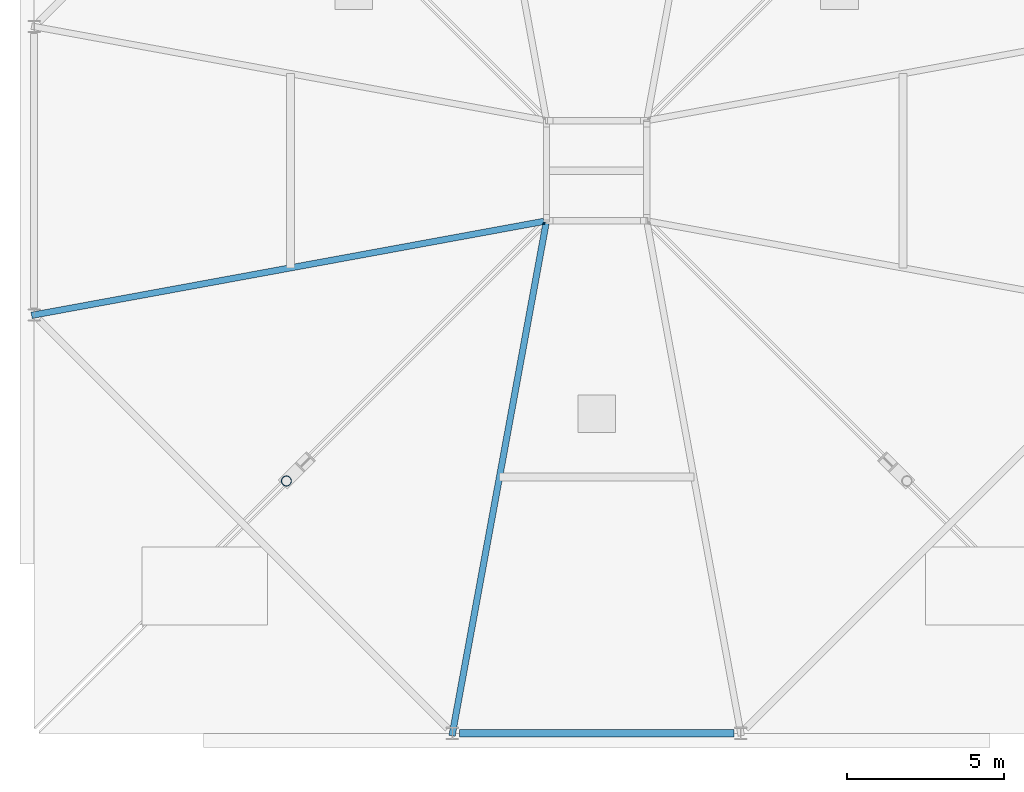
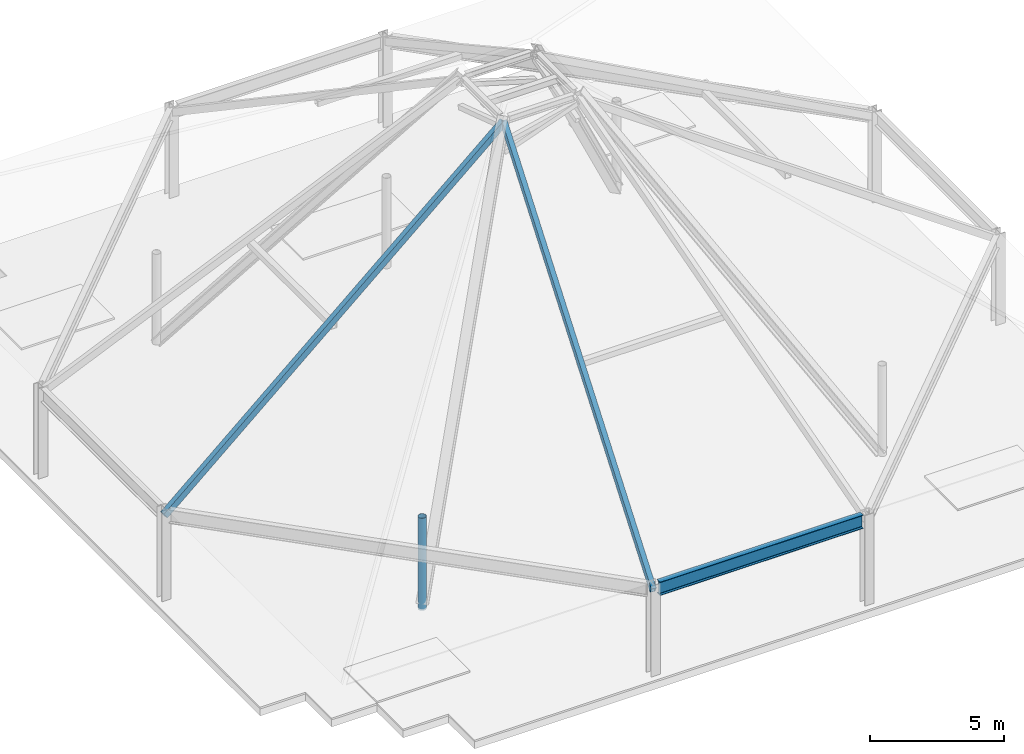
# One storey, part 2 of 7: 3 members, 1 beam.
"""IFC4 building model written with IfcOpenShell, lengths in metres."""

from ifc_helpers import new_model, si_unit, direction, frame, origin, origin_2d, place, context, subcontext, project, spatial, hollow_rectangle, hollow_circle, i_section, extrude, material, material_profile, profile_set, type_object, element, save


model = new_model("IFC4")

# Units and contexts
model_context = context("Model", 3, precision=1e-05, world=origin(), true_north=direction((0.0, 1.0)))
body_context = subcontext(model_context, "Body", "Model", "MODEL_VIEW")
ifc_project = project(units=[si_unit("LENGTHUNIT", "METRE"), si_unit("AREAUNIT", "SQUARE_METRE"), si_unit("VOLUMEUNIT", "CUBIC_METRE"), si_unit("PLANEANGLEUNIT", "RADIAN"), si_unit("MASSUNIT", "GRAM", prefix="KILO")], contexts=[model_context])

# Site, building, storey
site_placement = place(None, origin())
site = spatial("IfcSite", under=ifc_project, at=site_placement, CompositionType="ELEMENT")
building_placement = place(site_placement, origin())
building = spatial("IfcBuilding", under=site, at=building_placement, Name="Kolvaren Belvedere", CompositionType="ELEMENT")
storey_placement = place(building_placement, frame((0.0, 0.0, 287.39990234375)))
storey = spatial("IfcBuildingStorey", under=building, at=storey_placement, Name="RF", CompositionType="ELEMENT", Elevation=287.39990234375)

# Beam
ifc_material_1 = material(Name="Structural steel ASTM A992 Grade 50", Category="steel")
ifc_material_profile_1 = material_profile(ifc_material_1, i_section(OverallWidth=0.22900390625, OverallDepth=0.612060546875, WebThickness=0.011962890625, FlangeThickness=0.01953125, FilletRadius=0.01806640625, at=origin_2d()), Name="W24X84")
ifc_profile_set_1 = profile_set([ifc_material_profile_1], Name="Structural steel ASTM A992 Grade 50")
beam_type = type_object("IfcBeamType", Name="BM-SPAN-W24X84", PredefinedType="SPANDREL", material=ifc_profile_set_1)
beam_placement = place(storey_placement, frame((-4.3798828125, -17.949951171875, 3.89013671875), z_axis=(1.0, 0.0, 0.0), x_axis=(0.0, 1.0, 0.0)))
element("IfcBeam", 1, at=beam_placement, inside=storey, type_object=beam_type, Name="RF Canopy Eave Ring Spandrel 1", PredefinedType="SPANDREL", context=body_context, shape_type="SweptSolid", body=[
    extrude(i_section(OverallWidth=0.22900390625, OverallDepth=0.612060546875, WebThickness=0.011962890625, FlangeThickness=0.01953125, FilletRadius=0.01806640625, at=origin_2d()), origin(), (0.0, 0.0, 1.0), 8.759765625),
])

# Members
ifc_material_2 = material(Name="Structural steel ASTM A500 Grade C", Category="steel")
ifc_material_profile_2 = material_profile(ifc_material_2, hollow_circle(Radius=0.162109375, WallThickness=0.01171875, at=origin_2d()), Name="HSS12.750X0.500")
ifc_profile_set_2 = profile_set([ifc_material_profile_2], Name="Structural steel ASTM A500 Grade C")
member_type_1 = type_object("IfcMemberType", Name="MB-CAN-POST", PredefinedType="POST", material=ifc_profile_set_2)
member_placement = place(storey_placement, frame((-9.89990234375, -9.89990234375, 0.0), z_axis=(0.0, 0.0, 1.0), x_axis=(1.0, 0.0, 0.0)))
element("IfcMember", 2, at=member_placement, inside=storey, type_object=member_type_1, Name="RF Canopy Interior Strut Post 1", PredefinedType="POST", context=body_context, shape_type="SweptSolid", body=[
    extrude(hollow_circle(Radius=0.162109375, WallThickness=0.01171875, at=origin_2d()), origin(), (0.0, 0.0, 1.0), 4.2001953125),
])
ifc_material_3 = material(Name="Structural steel ASTM A500 Grade C", Category="steel")
ifc_material_profile_3 = material_profile(ifc_material_3, hollow_rectangle(XDim=0.202880859375, YDim=0.304931640625, WallThickness=0.01171875, at=origin_2d()), Name="HSS12X8X1/2")
ifc_profile_set_3 = profile_set([ifc_material_profile_3], Name="Structural steel ASTM A500 Grade C")
member_type_2 = type_object("IfcMemberType", Name="MB-CAN-RAFTER", PredefinedType="CHORD", material=ifc_profile_set_3)
for number, where, z_axis, x_axis, name in (
    (3, (-4.60009765625, -17.949951171875, 3.85009765625), (0.153204415765, 0.834956585234, 0.528560221512), (-0.983579583873, 0.180474935069, 0.0), "RF Canopy Hip Chord 1"),
    (4, (-17.949951171875, -4.60009765625, 3.85009765625), (0.834956585234, 0.153204415765, 0.528560221512), (-0.180474935069, 0.983579583873, 0.0), "RF Canopy Mid-Face Chord 4"),
):
    element("IfcMember", number, at=place(storey_placement, frame(where, z_axis=z_axis, x_axis=x_axis)), inside=storey, type_object=member_type_2, Name=name, PredefinedType="CHORD", context=body_context, shape_type="SweptSolid", body=[
        extrude(hollow_rectangle(XDim=0.202880859375, YDim=0.304931640625, WallThickness=0.01171875, at=origin_2d()), origin(), (0.0, 0.0, 1.0), 19.581787109375),
    ])

save(model, "model.ifc")
